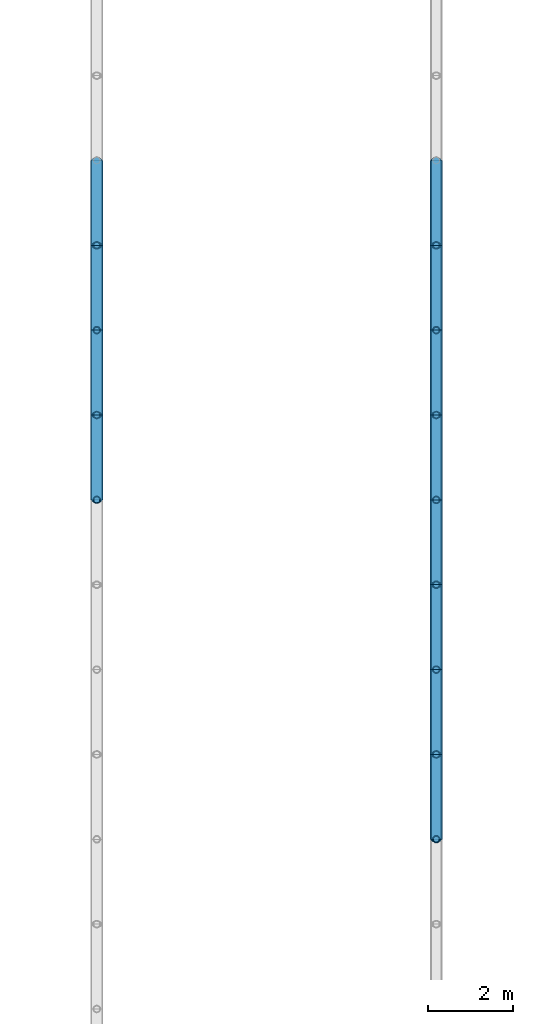
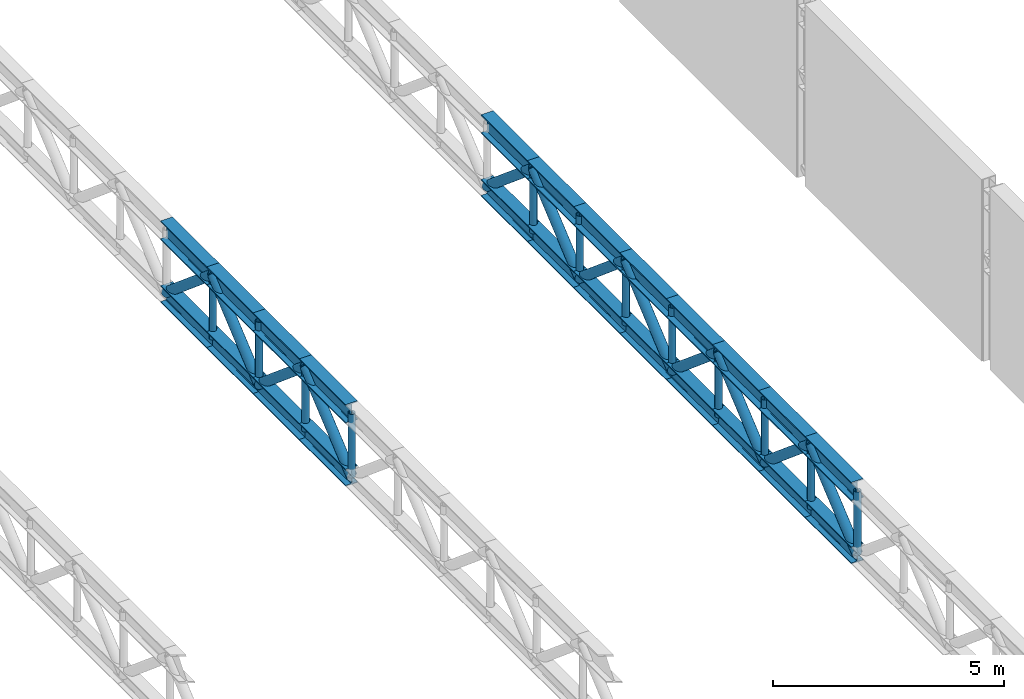
# One storey, part 85 of 143: 48 members.
"""IFC4 building model written with IfcOpenShell, lengths in metres."""

from ifc_helpers import new_model, si_unit, derived_unit, direction, frame, origin, origin_2d, place, context, subcontext, project, spatial, hollow_circle, i_section, extrude, material, material_profile, profile_set, type_object, element, save


model = new_model("IFC4")

# Units and contexts
model_context = context("Model", 3, precision=1e-05, world=origin(), true_north=direction((0.0, 1.0)))
body_context = subcontext(model_context, "Body", "Model", "MODEL_VIEW")
ifc_project = project(units=[si_unit("LENGTHUNIT", "METRE"), si_unit("AREAUNIT", "SQUARE_METRE"), si_unit("VOLUMEUNIT", "CUBIC_METRE"), si_unit("PLANEANGLEUNIT", "RADIAN"), si_unit("MASSUNIT", "GRAM", prefix="KILO"), derived_unit("THERMALTRANSMITTANCEUNIT", [(si_unit("POWERUNIT", "WATT"), 1), (si_unit("LENGTHUNIT", "METRE"), -2), (si_unit("THERMODYNAMICTEMPERATUREUNIT", "KELVIN"), -1)])], contexts=[model_context])

# Site, building, storey
site_placement = place(None, origin())
site = spatial("IfcSite", under=ifc_project, at=site_placement, CompositionType="ELEMENT")
building_placement = place(site_placement, origin())
building = spatial("IfcBuilding", under=site, at=building_placement, Name="Keldorne Ridge Multi-Sports Centre", CompositionType="ELEMENT")
storey_placement = place(building_placement, frame((0.0, 0.0, 4.800048828125)))
storey = spatial("IfcBuildingStorey", under=building, at=storey_placement, Name="L01", CompositionType="ELEMENT", Elevation=4.800048828125)

# Members
ifc_material = material(Name="Steel S355", Category="steel")
ifc_material_profile_1 = material_profile(ifc_material, i_section(OverallWidth=0.300048828125, OverallDepth=0.5, WebThickness=0.014404296875, FlangeThickness=0.028076171875, FilletRadius=0.027099609375, at=origin_2d()), Name="HEB 500")
ifc_profile_set_1 = profile_set([ifc_material_profile_1], Name="Steel S355")
member_type_1 = type_object("IfcMemberType", Name="MEM-TC-03", PredefinedType="CHORD", material=ifc_profile_set_1)
for number, where, z_axis, x_axis, name in (
    (1, (152.0, 30.0, 4.31005859375), (0.0, 1.0, 0.0), (-1.0, 0.0, 0.0), "Stacked Courts Warren TRUSS WT-L02-07 top chord 13"),
    (2, (152.0, 32.0, 4.31005859375), (0.0, 1.0, 0.0), (-1.0, 0.0, 0.0), "Stacked Courts Warren TRUSS WT-L02-07 top chord 14"),
    (3, (152.0, 34.0, 4.31005859375), (0.0, 1.0, 0.0), (-1.0, 0.0, 0.0), "Stacked Courts Warren TRUSS WT-L02-07 top chord 15"),
    (4, (152.0, 36.0, 4.31005859375), (0.0, 1.0, 0.0), (-1.0, 0.0, 0.0), "Stacked Courts Warren TRUSS WT-L02-07 top chord 16"),
    (5, (160.0, 22.0, 4.31005859375), (0.0, 1.0, 0.0), (-1.0, 0.0, 0.0), "Stacked Courts Warren TRUSS WT-L02-08 top chord 9"),
    (6, (160.0, 24.0, 4.31005859375), (0.0, 1.0, 0.0), (-1.0, 0.0, 0.0), "Stacked Courts Warren TRUSS WT-L02-08 top chord 10"),
    (7, (160.0, 26.0, 4.31005859375), (0.0, 1.0, 0.0), (-1.0, 0.0, 0.0), "Stacked Courts Warren TRUSS WT-L02-08 top chord 11"),
    (8, (160.0, 28.0, 4.31005859375), (0.0, 1.0, 0.0), (-1.0, 0.0, 0.0), "Stacked Courts Warren TRUSS WT-L02-08 top chord 12"),
    (9, (160.0, 30.0, 4.31005859375), (0.0, 1.0, 0.0), (-1.0, 0.0, 0.0), "Stacked Courts Warren TRUSS WT-L02-08 top chord 13"),
    (10, (160.0, 32.0, 4.31005859375), (0.0, 1.0, 0.0), (-1.0, 0.0, 0.0), "Stacked Courts Warren TRUSS WT-L02-08 top chord 14"),
    (11, (160.0, 34.0, 4.31005859375), (0.0, 1.0, 0.0), (-1.0, 0.0, 0.0), "Stacked Courts Warren TRUSS WT-L02-08 top chord 15"),
    (12, (160.0, 36.0, 4.31005859375), (0.0, 1.0, 0.0), (-1.0, 0.0, 0.0), "Stacked Courts Warren TRUSS WT-L02-08 top chord 16"),
):
    element("IfcMember", number, at=place(storey_placement, frame(where, z_axis=z_axis, x_axis=x_axis)), inside=storey, type_object=member_type_1, Name=name, PredefinedType="CHORD", context=body_context, shape_type="SweptSolid", body=[
        extrude(i_section(OverallWidth=0.300048828125, OverallDepth=0.5, WebThickness=0.014404296875, FlangeThickness=0.028076171875, FilletRadius=0.027099609375, at=origin_2d()), origin(), (0.0, 0.0, 1.0), 2.0),
    ])
ifc_material_profile_2 = material_profile(ifc_material, i_section(OverallWidth=0.300048828125, OverallDepth=0.449951171875, WebThickness=0.013916015625, FlangeThickness=0.02587890625, FilletRadius=0.027099609375, at=origin_2d()), Name="HEB 450")
ifc_profile_set_2 = profile_set([ifc_material_profile_2], Name="Steel S355")
member_type_2 = type_object("IfcMemberType", Name="MEM-TC-04", PredefinedType="CHORD", material=ifc_profile_set_2)
for number, where, z_axis, x_axis, name in (
    (13, (152.0, 30.0, 2.6298828125), (0.0, 1.0, 0.0), (-1.0, 0.0, 0.0), "Stacked Courts Warren TRUSS WT-L02-07 bottom chord 13"),
    (14, (152.0, 32.0, 2.6298828125), (0.0, 1.0, 0.0), (-1.0, 0.0, 0.0), "Stacked Courts Warren TRUSS WT-L02-07 bottom chord 14"),
    (15, (152.0, 34.0, 2.6298828125), (0.0, 1.0, 0.0), (-1.0, 0.0, 0.0), "Stacked Courts Warren TRUSS WT-L02-07 bottom chord 15"),
    (16, (152.0, 36.0, 2.6298828125), (0.0, 1.0, 0.0), (-1.0, 0.0, 0.0), "Stacked Courts Warren TRUSS WT-L02-07 bottom chord 16"),
    (17, (160.0, 22.0, 2.6298828125), (0.0, 1.0, 0.0), (-1.0, 0.0, 0.0), "Stacked Courts Warren TRUSS WT-L02-08 bottom chord 9"),
    (18, (160.0, 24.0, 2.6298828125), (0.0, 1.0, 0.0), (-1.0, 0.0, 0.0), "Stacked Courts Warren TRUSS WT-L02-08 bottom chord 10"),
    (19, (160.0, 26.0, 2.6298828125), (0.0, 1.0, 0.0), (-1.0, 0.0, 0.0), "Stacked Courts Warren TRUSS WT-L02-08 bottom chord 11"),
    (20, (160.0, 28.0, 2.6298828125), (0.0, 1.0, 0.0), (-1.0, 0.0, 0.0), "Stacked Courts Warren TRUSS WT-L02-08 bottom chord 12"),
    (21, (160.0, 30.0, 2.6298828125), (0.0, 1.0, 0.0), (-1.0, 0.0, 0.0), "Stacked Courts Warren TRUSS WT-L02-08 bottom chord 13"),
    (22, (160.0, 32.0, 2.6298828125), (0.0, 1.0, 0.0), (-1.0, 0.0, 0.0), "Stacked Courts Warren TRUSS WT-L02-08 bottom chord 14"),
    (23, (160.0, 34.0, 2.6298828125), (0.0, 1.0, 0.0), (-1.0, 0.0, 0.0), "Stacked Courts Warren TRUSS WT-L02-08 bottom chord 15"),
    (24, (160.0, 36.0, 2.6298828125), (0.0, 1.0, 0.0), (-1.0, 0.0, 0.0), "Stacked Courts Warren TRUSS WT-L02-08 bottom chord 16"),
):
    element("IfcMember", number, at=place(storey_placement, frame(where, z_axis=z_axis, x_axis=x_axis)), inside=storey, type_object=member_type_2, Name=name, PredefinedType="CHORD", context=body_context, shape_type="SweptSolid", body=[
        extrude(i_section(OverallWidth=0.300048828125, OverallDepth=0.449951171875, WebThickness=0.013916015625, FlangeThickness=0.02587890625, FilletRadius=0.027099609375, at=origin_2d()), origin(), (0.0, 0.0, 1.0), 2.0),
    ])
ifc_material_profile_3 = material_profile(ifc_material, hollow_circle(Radius=0.122314453125, WallThickness=0.012451171875, at=origin_2d()), Name="CHS 244.5x12.5")
ifc_profile_set_3 = profile_set([ifc_material_profile_3], Name="Steel S355")
member_type_3 = type_object("IfcMemberType", Name="MEM-TD-02", PredefinedType="BRACE", material=ifc_profile_set_3)
for number, where, z_axis, x_axis, name in (
    (25, (152.0, 30.0, 2.6298828125), (0.0, 0.765671721121, 0.643231541108), (-1.0, 0.0, 0.0), "Stacked Courts Warren TRUSS WT-L02-07 diagonal 13"),
    (26, (152.0, 32.0, 4.31005859375), (0.0, 0.765671721121, -0.643231541108), (-1.0, 0.0, 0.0), "Stacked Courts Warren TRUSS WT-L02-07 diagonal 14"),
    (27, (152.0, 34.0, 2.6298828125), (0.0, 0.765671721121, 0.643231541108), (-1.0, 0.0, 0.0), "Stacked Courts Warren TRUSS WT-L02-07 diagonal 15"),
    (28, (152.0, 36.0, 4.31005859375), (0.0, 0.765671721121, -0.643231541108), (-1.0, 0.0, 0.0), "Stacked Courts Warren TRUSS WT-L02-07 diagonal 16"),
    (29, (160.0, 22.0, 2.6298828125), (0.0, 0.765671721121, 0.643231541108), (-1.0, 0.0, 0.0), "Stacked Courts Warren TRUSS WT-L02-08 diagonal 9"),
    (30, (160.0, 24.0, 4.31005859375), (0.0, 0.765671721121, -0.643231541108), (-1.0, 0.0, 0.0), "Stacked Courts Warren TRUSS WT-L02-08 diagonal 10"),
    (31, (160.0, 26.0, 2.6298828125), (0.0, 0.765671721121, 0.643231541108), (-1.0, 0.0, 0.0), "Stacked Courts Warren TRUSS WT-L02-08 diagonal 11"),
    (32, (160.0, 28.0, 4.31005859375), (0.0, 0.765671721121, -0.643231541108), (-1.0, 0.0, 0.0), "Stacked Courts Warren TRUSS WT-L02-08 diagonal 12"),
    (33, (160.0, 30.0, 2.6298828125), (0.0, 0.765671721121, 0.643231541108), (-1.0, 0.0, 0.0), "Stacked Courts Warren TRUSS WT-L02-08 diagonal 13"),
    (34, (160.0, 32.0, 4.31005859375), (0.0, 0.765671721121, -0.643231541108), (-1.0, 0.0, 0.0), "Stacked Courts Warren TRUSS WT-L02-08 diagonal 14"),
    (35, (160.0, 34.0, 2.6298828125), (0.0, 0.765671721121, 0.643231541108), (-1.0, 0.0, 0.0), "Stacked Courts Warren TRUSS WT-L02-08 diagonal 15"),
    (36, (160.0, 36.0, 4.31005859375), (0.0, 0.765671721121, -0.643231541108), (-1.0, 0.0, 0.0), "Stacked Courts Warren TRUSS WT-L02-08 diagonal 16"),
):
    element("IfcMember", number, at=place(storey_placement, frame(where, z_axis=z_axis, x_axis=x_axis)), inside=storey, type_object=member_type_3, Name=name, PredefinedType="BRACE", context=body_context, shape_type="SweptSolid", body=[
        extrude(hollow_circle(Radius=0.122314453125, WallThickness=0.012451171875, at=origin_2d()), origin(), (0.0, 0.0, 1.0), 2.612060546875),
    ])
ifc_material_profile_4 = material_profile(ifc_material, hollow_circle(Radius=0.084228515625, WallThickness=0.010009765625, at=origin_2d()), Name="CHS 168.3x10")
ifc_profile_set_4 = profile_set([ifc_material_profile_4], Name="Steel S355")
member_type_4 = type_object("IfcMemberType", Name="MEM-TV-01", PredefinedType="STRUT", material=ifc_profile_set_4)
for number, where, z_axis, x_axis, name in (
    (37, (152.0, 30.0, 2.6298828125), (0.0, 0.0, 1.0), (1.0, 0.0, 0.0), "Stacked Courts Warren TRUSS WT-L02-07 post 13"),
    (38, (152.0, 32.0, 2.6298828125), (0.0, 0.0, 1.0), (1.0, 0.0, 0.0), "Stacked Courts Warren TRUSS WT-L02-07 post 14"),
    (39, (152.0, 34.0, 2.6298828125), (0.0, 0.0, 1.0), (1.0, 0.0, 0.0), "Stacked Courts Warren TRUSS WT-L02-07 post 15"),
    (40, (152.0, 36.0, 2.6298828125), (0.0, 0.0, 1.0), (1.0, 0.0, 0.0), "Stacked Courts Warren TRUSS WT-L02-07 post 16"),
    (41, (160.0, 22.0, 2.6298828125), (0.0, 0.0, 1.0), (1.0, 0.0, 0.0), "Stacked Courts Warren TRUSS WT-L02-08 post 9"),
    (42, (160.0, 24.0, 2.6298828125), (0.0, 0.0, 1.0), (1.0, 0.0, 0.0), "Stacked Courts Warren TRUSS WT-L02-08 post 10"),
    (43, (160.0, 26.0, 2.6298828125), (0.0, 0.0, 1.0), (1.0, 0.0, 0.0), "Stacked Courts Warren TRUSS WT-L02-08 post 11"),
    (44, (160.0, 28.0, 2.6298828125), (0.0, 0.0, 1.0), (1.0, 0.0, 0.0), "Stacked Courts Warren TRUSS WT-L02-08 post 12"),
    (45, (160.0, 30.0, 2.6298828125), (0.0, 0.0, 1.0), (1.0, 0.0, 0.0), "Stacked Courts Warren TRUSS WT-L02-08 post 13"),
    (46, (160.0, 32.0, 2.6298828125), (0.0, 0.0, 1.0), (1.0, 0.0, 0.0), "Stacked Courts Warren TRUSS WT-L02-08 post 14"),
    (47, (160.0, 34.0, 2.6298828125), (0.0, 0.0, 1.0), (1.0, 0.0, 0.0), "Stacked Courts Warren TRUSS WT-L02-08 post 15"),
    (48, (160.0, 36.0, 2.6298828125), (0.0, 0.0, 1.0), (1.0, 0.0, 0.0), "Stacked Courts Warren TRUSS WT-L02-08 post 16"),
):
    element("IfcMember", number, at=place(storey_placement, frame(where, z_axis=z_axis, x_axis=x_axis)), inside=storey, type_object=member_type_4, Name=name, PredefinedType="STRUT", context=body_context, shape_type="SweptSolid", body=[
        extrude(hollow_circle(Radius=0.084228515625, WallThickness=0.010009765625, at=origin_2d()), origin(), (0.0, 0.0, 1.0), 1.68017578125),
    ])

save(model, "model.ifc")
